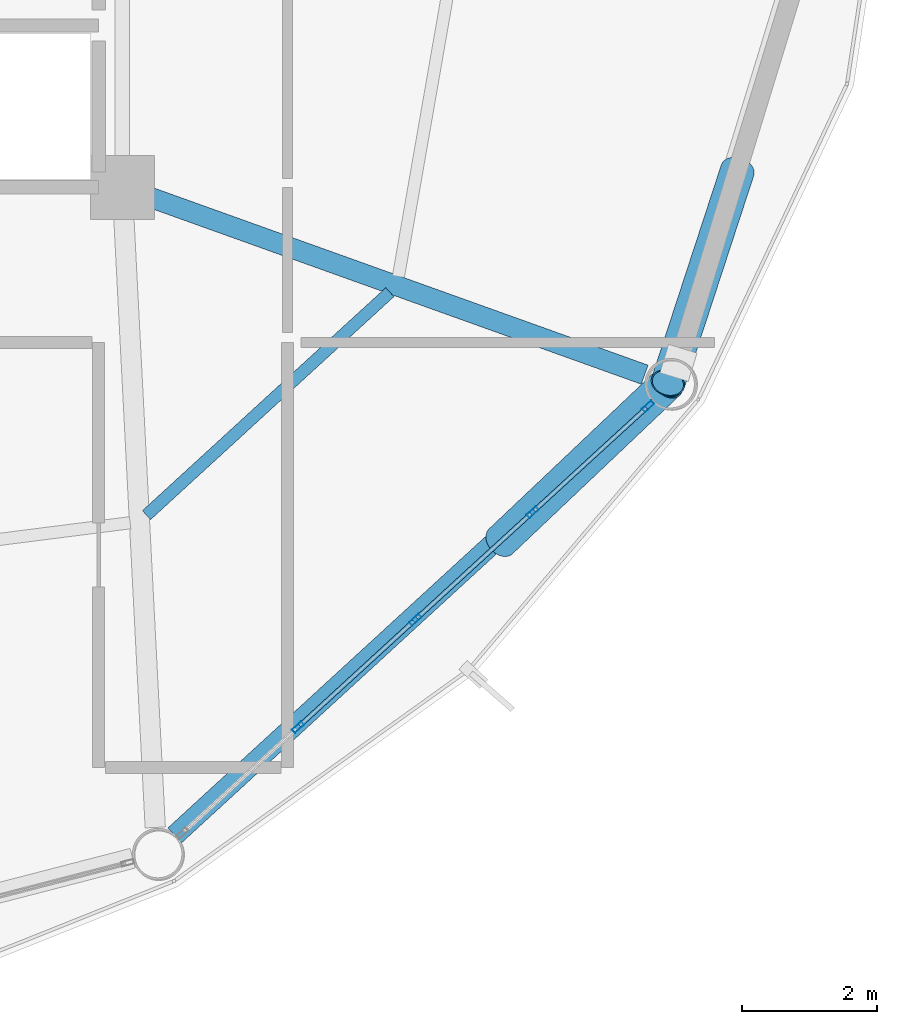
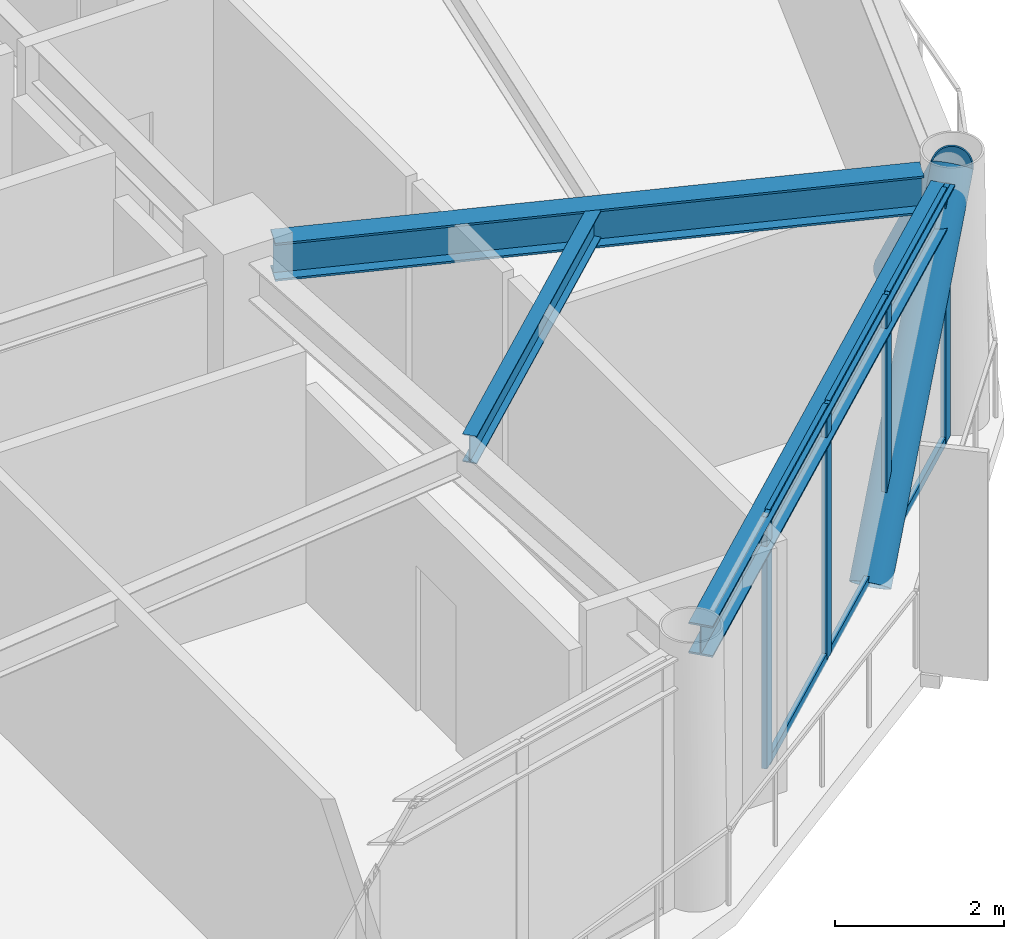
# One storey, part 13 of 27: 12 members, 3 beams, 1 element without a shape of its own.
"""IFC4 building model written with IfcOpenShell, lengths in metres."""

from ifc_helpers import new_model, si_unit, direction, frame, origin, origin_2d, place, context, subcontext, project, spatial, hollow_rectangle, hollow_circle, i_section, extrude, material, layer, layer_set, material_profile, profile_set, type_object, element, aggregate, save


model = new_model("IFC4")

# Units and contexts
model_context = context("Model", 3, precision=1e-05, world=origin(), true_north=direction((0.0, 1.0)))
body_context = subcontext(model_context, "Body", "Model", "MODEL_VIEW")
ifc_project = project(units=[si_unit("LENGTHUNIT", "METRE"), si_unit("AREAUNIT", "SQUARE_METRE"), si_unit("VOLUMEUNIT", "CUBIC_METRE"), si_unit("PLANEANGLEUNIT", "RADIAN"), si_unit("MASSUNIT", "GRAM", prefix="KILO")], contexts=[model_context])

# Site, building, storey
site_placement = place(None, origin())
site = spatial("IfcSite", under=ifc_project, at=site_placement, CompositionType="ELEMENT")
building_placement = place(site_placement, origin())
building = spatial("IfcBuilding", under=site, at=building_placement, Name="Varnakorn Sky Granary", CompositionType="ELEMENT")
storey_placement = place(building_placement, frame((0.0, 0.0, 142.199951171875)))
storey = spatial("IfcBuildingStorey", under=building, at=storey_placement, Name="L35", CompositionType="ELEMENT", Elevation=142.199951171875)

# Beams
ifc_material_1 = material(Name="Steel S355JR", Category="steel")
ifc_material_profile_1 = material_profile(ifc_material_1, i_section(OverallWidth=0.300048828125, OverallDepth=0.550048828125, WebThickness=0.014892578125, FlangeThickness=0.029052734375, at=origin_2d()), Name="HE 550 B")
ifc_profile_set_1 = profile_set([ifc_material_profile_1], Name="Steel S355JR")
beam_type_1 = type_object("IfcBeamType", Name="BM-RAD-Z3", PredefinedType="BEAM", material=ifc_profile_set_1)
beam_1_placement = place(storey_placement, frame((8.745361328125, -6.74169921875, 3.364990234375), z_axis=(0.941323098325, -0.337506777058, 0.0), x_axis=(0.337506777058, 0.941323098325, 0.0)))
element("IfcBeam", 1, at=beam_1_placement, inside=storey, type_object=beam_type_1, Name="Radial Floor Girder RG12 L35", PredefinedType="BEAM", context=body_context, shape_type="SweptSolid", body=[
    extrude(i_section(OverallWidth=0.300048828125, OverallDepth=0.550048828125, WebThickness=0.014892578125, FlangeThickness=0.029052734375, at=origin_2d()), origin(), (0.0, 0.0, 1.0), 7.80810546875),
])
ifc_material_profile_2 = material_profile(ifc_material_1, i_section(OverallWidth=0.179931640625, OverallDepth=0.39990234375, WebThickness=0.008544921875, FlangeThickness=0.013427734375, at=origin_2d()), Name="IPE 400")
ifc_profile_set_2 = profile_set([ifc_material_profile_2], Name="Steel S355JR")
beam_type_2 = type_object("IfcBeamType", Name="BM-SEC-Z3", PredefinedType="BEAM", material=ifc_profile_set_2)
beam_2_placement = place(storey_placement, frame((8.70849609375, -11.4599609375, 3.43994140625), z_axis=(0.737359107871, 0.675500959318, 0.0), x_axis=(-0.675500959318, 0.737359107871, 0.0)))
element("IfcBeam", 2, at=beam_2_placement, inside=storey, type_object=beam_type_2, Name="Secondary Floor Chord Beam MSB11 L35", PredefinedType="BEAM", context=body_context, shape_type="SweptSolid", body=[
    extrude(i_section(OverallWidth=0.179931640625, OverallDepth=0.39990234375, WebThickness=0.008544921875, FlangeThickness=0.013427734375, at=origin_2d()), origin(), (0.0, 0.0, 1.0), 4.89404296875),
])
ifc_material_profile_3 = material_profile(ifc_material_1, i_section(OverallWidth=0.300048828125, OverallDepth=0.449951171875, WebThickness=0.013916015625, FlangeThickness=0.02587890625, at=origin_2d()), Name="HE 450 B")
ifc_profile_set_3 = profile_set([ifc_material_profile_3], Name="Steel S355JR")
beam_type_3 = type_object("IfcBeamType", Name="BM-SPD-Z3", PredefinedType="SPANDREL", material=ifc_profile_set_3)
beam_3_placement = place(storey_placement, frame((9.127197265625, -16.2080078125, 3.4150390625), z_axis=(0.736926112042, 0.675973302276, 0.0), x_axis=(-0.675973302276, 0.736926112042, 0.0)))
element("IfcBeam", 3, at=beam_3_placement, inside=storey, type_object=beam_type_3, Name="Perimeter Spandrel Ring Beam RB11 L35", PredefinedType="SPANDREL", context=body_context, shape_type="SweptSolid", body=[
    extrude(i_section(OverallWidth=0.300048828125, OverallDepth=0.449951171875, WebThickness=0.013916015625, FlangeThickness=0.02587890625, at=origin_2d()), origin(), (0.0, 0.0, 1.0), 9.556884765625),
])

# Curtain wall, members
ifc_material_2 = material(Name="Anodised Bronze Aluminium Alloy 6063-T6", Category="aluminium")
ifc_layer = layer(ifc_material_2, 0.179931640625, Name="Anodised Bronze Aluminium Alloy 6063-T6")
ifc_layer_set = layer_set([ifc_layer], Name="Anodised Bronze Aluminium Alloy 6063-T6")
curtain_wall_type = type_object("IfcCurtainWallType", Name="CW-FRM-2", PredefinedType="USERDEFINED", material=ifc_layer_set)
curtain_wall_placement = place(storey_placement, origin())
curtain_wall = element("IfcCurtainWall", 4, at=curtain_wall_placement, inside=storey, type_object=curtain_wall_type, Name="Unitised Curtain Wall CW4 CW-L35-B11", ObjectType="CURTAIN WALL", PredefinedType="USERDEFINED")
ifc_material_profile_4 = material_profile(ifc_material_2, hollow_rectangle(XDim=0.070068359375, YDim=0.18505859375, WallThickness=0.00390625, at=origin_2d()), Name="ALU MULL 70x185")
ifc_profile_set_4 = profile_set([ifc_material_profile_4], Name="Anodised Bronze Aluminium Alloy 6063-T6")
member_type_1 = type_object("IfcMemberType", Name="CW-FRM-2-MULL", PredefinedType="MULLION", material=ifc_profile_set_4)
member_1_placement = place(storey_placement, frame((16.146728515625, -9.845703125, 0.0), z_axis=(0.0, 0.0, 1.0), x_axis=(0.675684798243, -0.737190649305, 0.0)))
member_1 = element("IfcMember", 5, at=member_1_placement, type_object=member_type_1, Name="CW4 mullion 1", PredefinedType="MULLION", context=body_context, shape_type="SweptSolid", body=[
    extrude(hollow_rectangle(XDim=0.070068359375, YDim=0.18505859375, WallThickness=0.00390625, at=origin_2d()), origin(), (0.0, 0.0, 1.0), 3.64013671875),
])
member_2_placement = place(storey_placement, frame((14.43359375, -11.416015625, 0.0), z_axis=(0.0, 0.0, 1.0), x_axis=(0.675684798243, -0.737190649305, 0.0)))
member_2 = element("IfcMember", 6, at=member_2_placement, type_object=member_type_1, Name="CW4 mullion 2", PredefinedType="MULLION", context=body_context, shape_type="SweptSolid", body=[
    extrude(hollow_rectangle(XDim=0.070068359375, YDim=0.18505859375, WallThickness=0.00390625, at=origin_2d()), origin(), (0.0, 0.0, 1.0), 3.64013671875),
])
member_3_placement = place(storey_placement, frame((12.6943359375, -13.010009765625, 0.0), z_axis=(0.0, 0.0, 1.0), x_axis=(0.675684798243, -0.737190649305, 0.0)))
member_3 = element("IfcMember", 7, at=member_3_placement, type_object=member_type_1, Name="CW4 mullion 3", PredefinedType="MULLION", context=body_context, shape_type="SweptSolid", body=[
    extrude(hollow_rectangle(XDim=0.070068359375, YDim=0.18505859375, WallThickness=0.00390625, at=origin_2d()), origin(), (0.0, 0.0, 1.0), 3.64013671875),
])
member_4_placement = place(storey_placement, frame((10.955322265625, -14.60400390625, 0.0), z_axis=(0.0, 0.0, 1.0), x_axis=(0.675684798243, -0.737190649305, 0.0)))
member_4 = element("IfcMember", 8, at=member_4_placement, type_object=member_type_1, Name="CW4 mullion 4", PredefinedType="MULLION", context=body_context, shape_type="SweptSolid", body=[
    extrude(hollow_rectangle(XDim=0.070068359375, YDim=0.18505859375, WallThickness=0.00390625, at=origin_2d()), origin(), (0.0, 0.0, 1.0), 3.64013671875),
])
ifc_material_profile_5 = material_profile(ifc_material_2, hollow_rectangle(XDim=0.06494140625, YDim=0.1201171875, WallThickness=0.00341796875, at=origin_2d()), Name="ALU TRAN 65x120")
ifc_profile_set_5 = profile_set([ifc_material_profile_5], Name="Anodised Bronze Aluminium Alloy 6063-T6")
member_type_2 = type_object("IfcMemberType", Name="CW-FRM-2-TRAN", PredefinedType="USERDEFINED", material=ifc_profile_set_5)
member_5_placement = place(storey_placement, frame((16.12109375, -9.869384765625, 0.032470703125), z_axis=(-0.737248544371, -0.675621627705, 0.0), x_axis=(0.675621627705, -0.737248544371, 0.0)))
member_5 = element("IfcMember", 9, at=member_5_placement, type_object=member_type_2, Name="CW4 transom 1.1", ObjectType="TRANSOM", PredefinedType="USERDEFINED", context=body_context, shape_type="SweptSolid", body=[
    extrude(hollow_rectangle(XDim=0.06494140625, YDim=0.1201171875, WallThickness=0.00341796875, at=origin_2d()), origin(), (0.0, 0.0, 1.0), 2.254150390625),
])
member_6_placement = place(storey_placement, frame((16.12109375, -9.869384765625, 3.607666015625), z_axis=(-0.737248544371, -0.675621627705, 0.0), x_axis=(0.675621627705, -0.737248544371, 0.0)))
member_6 = element("IfcMember", 10, at=member_6_placement, type_object=member_type_2, Name="CW4 transom 1.2", ObjectType="TRANSOM", PredefinedType="USERDEFINED", context=body_context, shape_type="SweptSolid", body=[
    extrude(hollow_rectangle(XDim=0.06494140625, YDim=0.1201171875, WallThickness=0.00341796875, at=origin_2d()), origin(), (0.0, 0.0, 1.0), 2.254150390625),
])
member_7_placement = place(storey_placement, frame((14.40771484375, -11.439697265625, 0.032470703125), z_axis=(-0.737207264756, -0.675666669883, 0.0), x_axis=(0.675666669883, -0.737207264756, 0.0)))
member_7 = element("IfcMember", 11, at=member_7_placement, type_object=member_type_2, Name="CW4 transom 2.1", ObjectType="TRANSOM", PredefinedType="USERDEFINED", context=body_context, shape_type="SweptSolid", body=[
    extrude(hollow_rectangle(XDim=0.06494140625, YDim=0.1201171875, WallThickness=0.00341796875, at=origin_2d()), origin(), (0.0, 0.0, 1.0), 2.2890625),
])
member_8_placement = place(storey_placement, frame((14.40771484375, -11.439697265625, 3.607666015625), z_axis=(-0.737207264756, -0.675666669883, 0.0), x_axis=(0.675666669883, -0.737207264756, 0.0)))
member_8 = element("IfcMember", 12, at=member_8_placement, type_object=member_type_2, Name="CW4 transom 2.2", ObjectType="TRANSOM", PredefinedType="USERDEFINED", context=body_context, shape_type="SweptSolid", body=[
    extrude(hollow_rectangle(XDim=0.06494140625, YDim=0.1201171875, WallThickness=0.00341796875, at=origin_2d()), origin(), (0.0, 0.0, 1.0), 2.2890625),
])
member_9_placement = place(storey_placement, frame((12.66845703125, -13.03369140625, 0.032470703125), z_axis=(-0.737207264756, -0.675666669883, 0.0), x_axis=(0.675666669883, -0.737207264756, 0.0)))
member_9 = element("IfcMember", 13, at=member_9_placement, type_object=member_type_2, Name="CW4 transom 3.1", ObjectType="TRANSOM", PredefinedType="USERDEFINED", context=body_context, shape_type="SweptSolid", body=[
    extrude(hollow_rectangle(XDim=0.06494140625, YDim=0.1201171875, WallThickness=0.00341796875, at=origin_2d()), origin(), (0.0, 0.0, 1.0), 2.2890625),
])
member_10_placement = place(storey_placement, frame((12.66845703125, -13.03369140625, 3.607666015625), z_axis=(-0.737207264756, -0.675666669883, 0.0), x_axis=(0.675666669883, -0.737207264756, 0.0)))
member_10 = element("IfcMember", 14, at=member_10_placement, type_object=member_type_2, Name="CW4 transom 3.2", ObjectType="TRANSOM", PredefinedType="USERDEFINED", context=body_context, shape_type="SweptSolid", body=[
    extrude(hollow_rectangle(XDim=0.06494140625, YDim=0.1201171875, WallThickness=0.00341796875, at=origin_2d()), origin(), (0.0, 0.0, 1.0), 2.2890625),
])
aggregate(curtain_wall, [member_1, member_2, member_3, member_4, member_5, member_6, member_7, member_8, member_9, member_10])

# Members
ifc_material_3 = material(Name="Steel S460M", Category="steel")
ifc_material_profile_6 = material_profile(ifc_material_3, hollow_circle(Radius=0.25390625, WallThickness=0.01806640625, at=origin_2d()), Name="CHS 508x18")
ifc_profile_set_6 = profile_set([ifc_material_profile_6], Name="Steel S460M")
member_type_3 = type_object("IfcMemberType", Name="MB-DIAG-T2", PredefinedType="BRACE", material=ifc_profile_set_6)
member_11_placement = place(storey_placement, frame((13.962158203125, -11.847900390625, -0.1298828125), z_axis=(0.487183861858, 0.4615956673, 0.741337524124), x_axis=(-0.687786313234, 0.725913209225, 0.0)))
element("IfcMember", 15, at=member_11_placement, inside=storey, type_object=member_type_3, Name="Perimeter CHS Diagrid Brace DG11 L35", PredefinedType="BRACE", context=body_context, shape_type="SweptSolid", body=[
    extrude(hollow_circle(Radius=0.25390625, WallThickness=0.01806640625, at=origin_2d()), origin(), (0.0, 0.0, 1.0), 5.08544921875),
])
member_12_placement = place(storey_placement, frame((17.470703125, -6.349365234375, -0.1298828125), z_axis=(-0.20535847993, -0.627649041073, 0.750922483323), x_axis=(0.950421268448, -0.310965291443, 0.0)))
element("IfcMember", 16, at=member_12_placement, inside=storey, type_object=member_type_3, Name="Perimeter CHS Diagrid Brace DG12 L35", PredefinedType="BRACE", context=body_context, shape_type="SweptSolid", body=[
    extrude(hollow_circle(Radius=0.25390625, WallThickness=0.01806640625, at=origin_2d()), origin(), (0.0, 0.0, 1.0), 5.0205078125),
])

save(model, "model.ifc")
